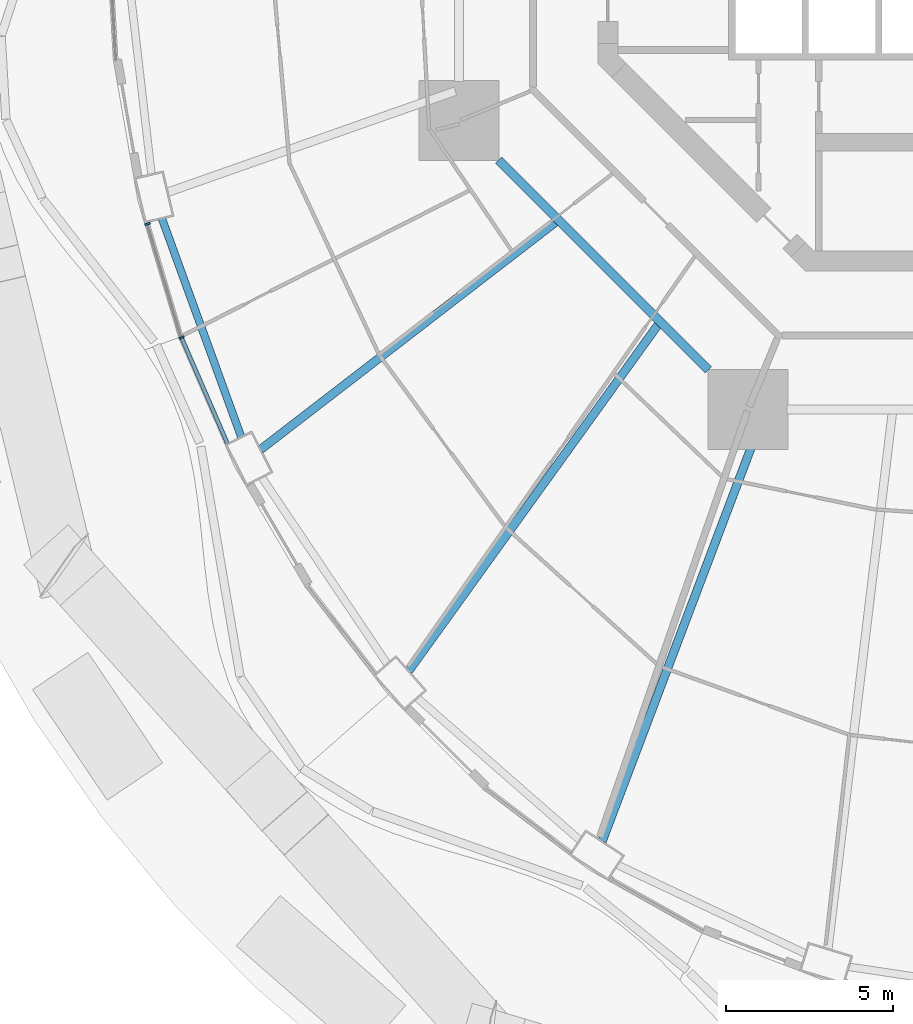
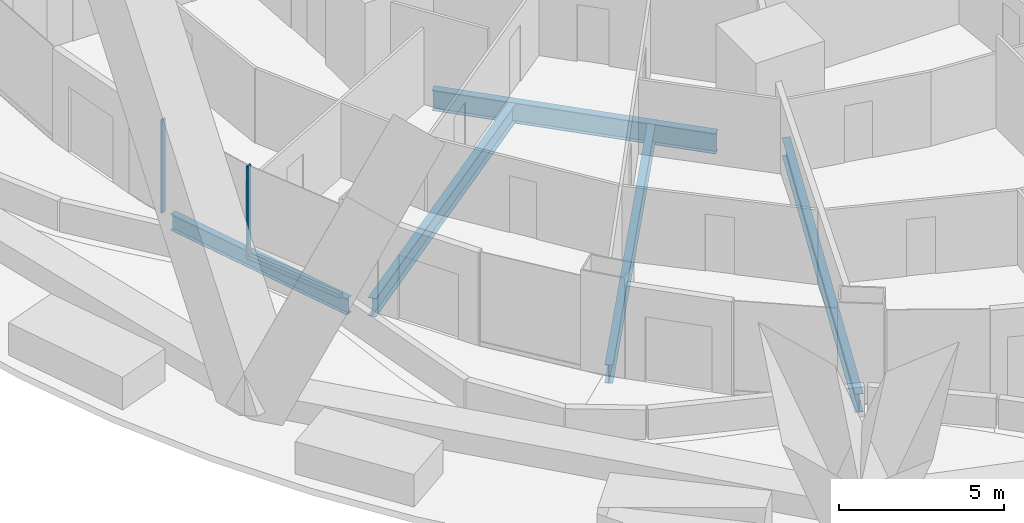
# One storey, part 6 of 42: 5 beams, 3 members, 2 elements without a shape of their own.
"""IFC4 building model written with IfcOpenShell, lengths in metres."""

from ifc_helpers import new_model, si_unit, direction, frame, origin, origin_2d, place, context, subcontext, project, spatial, rectangle, i_section, extrude, material, layer, layer_set, material_profile, profile_set, type_object, element, aggregate, save


model = new_model("IFC4")

# Units and contexts
model_context = context("Model", 3, precision=1e-05, world=origin(), true_north=direction((0.0, 1.0)))
body_context = subcontext(model_context, "Body", "Model", "MODEL_VIEW")
ifc_project = project(units=[si_unit("LENGTHUNIT", "METRE"), si_unit("AREAUNIT", "SQUARE_METRE"), si_unit("VOLUMEUNIT", "CUBIC_METRE"), si_unit("PLANEANGLEUNIT", "RADIAN"), si_unit("MASSUNIT", "GRAM", prefix="KILO")], contexts=[model_context])

# Site, building, storey
site_placement = place(None, origin())
site = spatial("IfcSite", under=ifc_project, at=site_placement, CompositionType="ELEMENT")
building_placement = place(site_placement, origin())
building = spatial("IfcBuilding", under=site, at=building_placement, Name="Nagisa Residences", CompositionType="ELEMENT")
storey_placement = place(building_placement, frame((0.0, 0.0, 27.0)))
storey = spatial("IfcBuildingStorey", under=building, at=storey_placement, Name="L05", CompositionType="ELEMENT", Elevation=27.0)

# Curtain wall, member
ifc_material_1 = material(Name="Concrete-coloured aluminium curtain wall system", Category="concrete")
ifc_layer = layer(ifc_material_1, 0.159912109375)
ifc_layer_set = layer_set([ifc_layer], Name="CW1 CURTAIN WALL")
curtain_wall_type = type_object("IfcCurtainWallType", Name="CW1 CURTAIN WALL", PredefinedType="NOTDEFINED", material=ifc_layer_set)
curtain_wall_1_placement = place(storey_placement, origin())
curtain_wall_1 = element("IfcCurtainWall", 1, at=curtain_wall_1_placement, inside=storey, type_object=curtain_wall_type, Name="cw:CW1:L05:26", PredefinedType="NOTDEFINED")
ifc_material_2 = material(Name="Concrete-coloured aluminium", Category="concrete")
ifc_material_profile_1 = material_profile(ifc_material_2, rectangle(XDim=0.159912109375, YDim=0.06005859375, at=origin_2d()), Name="CW1 MULLION 160x60")
ifc_profile_set_1 = profile_set([ifc_material_profile_1], Name="Concrete-coloured aluminium")
member_type_1 = type_object("IfcMemberType", Name="CW1 MULLION 160x60", PredefinedType="MULLION", material=ifc_profile_set_1)
member_1_placement = place(storey_placement, frame((-24.12646484375, -9.2177734375, 0.0), z_axis=(0.0, 0.0, 1.0), x_axis=(0.958271310082, 0.285860274038, 0.0)))
member_1 = element("IfcMember", 2, at=member_1_placement, type_object=member_type_1, Name="CW1 mullion", PredefinedType="MULLION", context=body_context, shape_type="SweptSolid", body=[
    extrude(rectangle(XDim=0.159912109375, YDim=0.06005859375, at=origin_2d()), origin(), (0.0, 0.0, 1.0), 3.43994140625),
])
aggregate(curtain_wall_1, [member_1])

# Curtain wall, members
curtain_wall_2_placement = place(storey_placement, origin())
curtain_wall_2 = element("IfcCurtainWall", 3, at=curtain_wall_2_placement, inside=storey, type_object=curtain_wall_type, Name="cw:CW1:L05:27", PredefinedType="NOTDEFINED")
member_2_placement = place(storey_placement, frame((-23.107177734375, -12.624267578125, 0.0), z_axis=(0.0, 0.0, 1.0), x_axis=(0.917543276295, 0.397635934147, 0.0)))
member_2 = element("IfcMember", 4, at=member_2_placement, type_object=member_type_1, Name="CW1 mullion", PredefinedType="MULLION", context=body_context, shape_type="SweptSolid", body=[
    extrude(rectangle(XDim=0.159912109375, YDim=0.06005859375, at=origin_2d()), origin(), (0.0, 0.0, 1.0), 3.43994140625),
])
ifc_material_3 = material(Name="Concrete-coloured aluminium", Category="concrete")
ifc_material_profile_2 = material_profile(ifc_material_3, rectangle(XDim=0.1201171875, YDim=0.14990234375, at=origin_2d()), Name="CW1 TRANSOM 120x150")
ifc_profile_set_2 = profile_set([ifc_material_profile_2], Name="Concrete-coloured aluminium")
member_type_2 = type_object("IfcMemberType", Name="CW1 TRANSOM 120x150", PredefinedType="USERDEFINED", material=ifc_profile_set_2)
member_3_placement = place(storey_placement, frame((-23.119140625, -12.5966796875, 0.074951171875), z_axis=(0.397624958345, -0.917548032803, 0.0), x_axis=(0.917548032803, 0.397624958345, 0.0)))
member_3 = element("IfcMember", 5, at=member_3_placement, type_object=member_type_2, Name="CW1 transom", ObjectType="TRANSOM", PredefinedType="USERDEFINED", context=body_context, shape_type="SweptSolid", body=[
    extrude(rectangle(XDim=0.1201171875, YDim=0.14990234375, at=origin_2d()), origin(), (0.0, 0.0, 1.0), 3.51953125),
])
aggregate(curtain_wall_2, [member_2, member_3])

# Beams
ifc_material_4 = material(Name="Steel ASTM A572 Gr 50", Category="steel")
ifc_material_profile_3 = material_profile(ifc_material_4, i_section(OverallWidth=0.264892578125, OverallDepth=0.7529296875, WebThickness=0.01318359375, FlangeThickness=0.01708984375, at=origin_2d()), Name="W760x147")
ifc_profile_set_3 = profile_set([ifc_material_profile_3], Name="Steel ASTM A572 Gr 50")
beam_type_1 = type_object("IfcBeamType", Name="Inner ring beam W760x147", PredefinedType="BEAM", material=ifc_profile_set_3)
beam_1_placement = place(storey_placement, frame((-13.59619140625, -7.308837890625, -0.636474609375), z_axis=(0.707106781187, -0.707106781187, 0.0), x_axis=(0.707106781187, 0.707106781187, 0.0)))
element("IfcBeam", 6, at=beam_1_placement, inside=storey, type_object=beam_type_1, Name="beam:L05:ib5", PredefinedType="BEAM", context=body_context, shape_type="SweptSolid", body=[
    extrude(i_section(OverallWidth=0.264892578125, OverallDepth=0.7529296875, WebThickness=0.01318359375, FlangeThickness=0.01708984375, at=origin_2d()), origin(), (0.0, 0.0, 1.0), 8.8916015625),
])
ifc_material_5 = material(Name="Steel ASTM A572 Gr 50", Category="steel")
ifc_material_profile_4 = material_profile(ifc_material_5, i_section(OverallWidth=0.22802734375, OverallDepth=0.60302734375, WebThickness=0.010498046875, FlangeThickness=0.014892578125, at=origin_2d()), Name="W610x101")
ifc_profile_set_4 = profile_set([ifc_material_profile_4], Name="Steel ASTM A572 Gr 50")
beam_type_2 = type_object("IfcBeamType", Name="Perimeter ring beam W610x101", PredefinedType="BEAM", material=ifc_profile_set_4)
beam_2_placement = place(storey_placement, frame((-23.695068359375, -9.055419921875, -0.5615234375), z_axis=(0.341411143183, -0.939914055279, 0.0), x_axis=(0.939914055279, 0.341411143183, 0.0)))
element("IfcBeam", 7, at=beam_2_placement, inside=storey, type_object=beam_type_2, Name="beam:L05:pb14", PredefinedType="BEAM", context=body_context, shape_type="SweptSolid", body=[
    extrude(i_section(OverallWidth=0.22802734375, OverallDepth=0.60302734375, WebThickness=0.010498046875, FlangeThickness=0.014892578125, at=origin_2d()), origin(), (0.0, 0.0, 1.0), 6.96923828125),
])
ifc_material_6 = material(Name="Steel ASTM A572 Gr 50", Category="steel")
ifc_material_profile_5 = material_profile(ifc_material_6, i_section(OverallWidth=0.25390625, OverallDepth=0.68408203125, WebThickness=0.012451171875, FlangeThickness=0.018798828125, at=origin_2d()), Name="W690x140")
ifc_profile_set_5 = profile_set([ifc_material_profile_5], Name="Steel ASTM A572 Gr 50")
beam_type_3 = type_object("IfcBeamType", Name="Radial beam W690x140", PredefinedType="BEAM", material=ifc_profile_set_5)
beam_3_placement = place(storey_placement, frame((-20.73486328125, -15.982666015625, -0.60205078125), z_axis=(0.792016146736, 0.610500141941, 0.0), x_axis=(-0.610500141941, 0.792016146736, 0.0)))
element("IfcBeam", 8, at=beam_3_placement, inside=storey, type_object=beam_type_3, Name="beam:L05:rb15", PredefinedType="BEAM", context=body_context, shape_type="SweptSolid", body=[
    extrude(i_section(OverallWidth=0.25390625, OverallDepth=0.68408203125, WebThickness=0.012451171875, FlangeThickness=0.018798828125, at=origin_2d()), origin(), (0.0, 0.0, 1.0), 11.160888671875),
])
beam_4_placement = place(storey_placement, frame((-16.29443359375, -22.62255859375, -0.60205078125), z_axis=(0.58445507622, 0.811426068031, 0.0), x_axis=(-0.811426068031, 0.58445507622, 0.0)))
element("IfcBeam", 9, at=beam_4_placement, inside=storey, type_object=beam_type_3, Name="beam:L05:rb16", PredefinedType="BEAM", context=body_context, shape_type="SweptSolid", body=[
    extrude(i_section(OverallWidth=0.25390625, OverallDepth=0.68408203125, WebThickness=0.012451171875, FlangeThickness=0.018798828125, at=origin_2d()), origin(), (0.0, 0.0, 1.0), 12.78955078125),
])
beam_5_placement = place(storey_placement, frame((-10.493896484375, -27.7333984375, -0.60205078125), z_axis=(0.353887892206, 0.935287848606, 0.0), x_axis=(-0.935287848606, 0.353887892206, 0.0)))
element("IfcBeam", 10, at=beam_5_placement, inside=storey, type_object=beam_type_3, Name="beam:L05:rb17", PredefinedType="BEAM", context=body_context, shape_type="SweptSolid", body=[
    extrude(i_section(OverallWidth=0.25390625, OverallDepth=0.68408203125, WebThickness=0.012451171875, FlangeThickness=0.018798828125, at=origin_2d()), origin(), (0.0, 0.0, 1.0), 13.725830078125),
])

save(model, "model.ifc")
